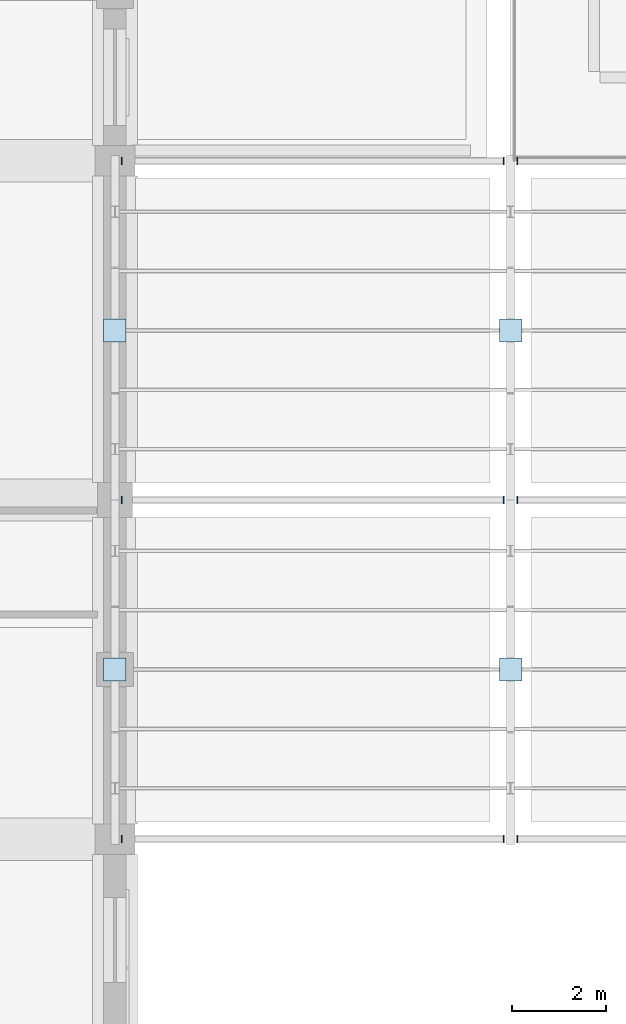
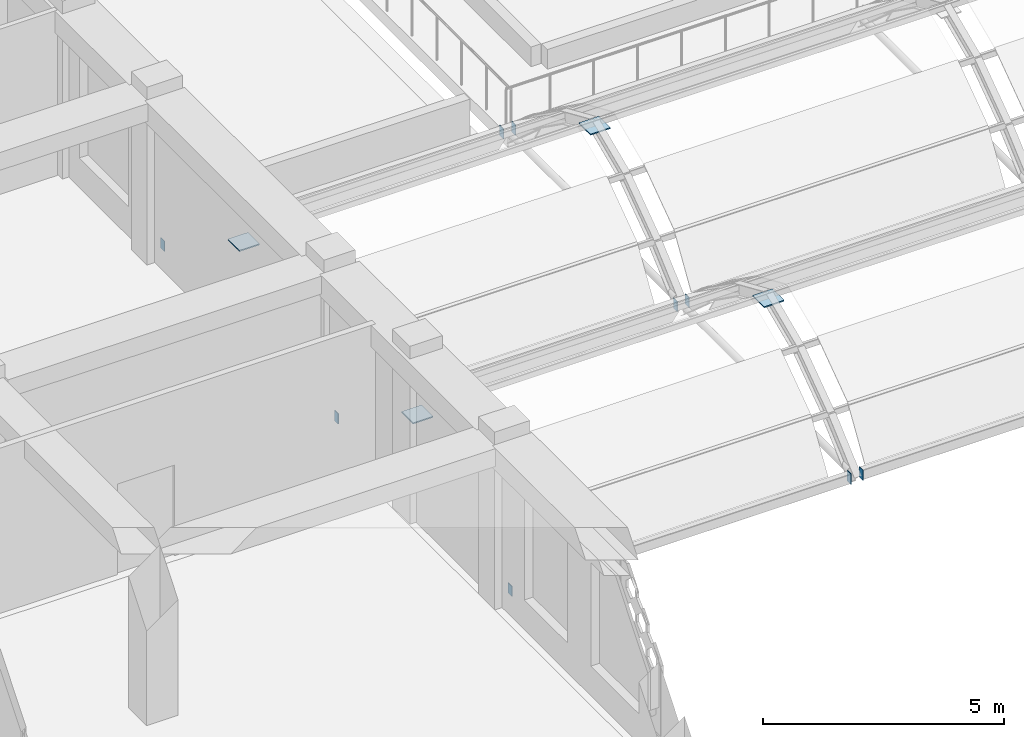
# One storey, part 47 of 100: 13 plates.
"""IFC4 building model written with IfcOpenShell, lengths in metres."""

from ifc_helpers import new_model, si_unit, derived_unit, direction, frame, origin, origin_2d, place, context, subcontext, project, spatial, rectangle, extrude, material, layer, layer_set, type_object, element, save


model = new_model("IFC4")

# Units and contexts
model_context = context("Model", 3, precision=1e-05, world=origin(), true_north=direction((0.0, 1.0)))
body_context = subcontext(model_context, "Body", "Model", "MODEL_VIEW")
ifc_project = project(units=[si_unit("LENGTHUNIT", "METRE"), si_unit("AREAUNIT", "SQUARE_METRE"), si_unit("VOLUMEUNIT", "CUBIC_METRE"), si_unit("PLANEANGLEUNIT", "RADIAN"), si_unit("MASSUNIT", "GRAM", prefix="KILO"), derived_unit("THERMALTRANSMITTANCEUNIT", [(si_unit("POWERUNIT", "WATT"), 1), (si_unit("LENGTHUNIT", "METRE"), -2), (si_unit("THERMODYNAMICTEMPERATUREUNIT", "KELVIN"), -1)])], contexts=[model_context])

# Site, building, storey
site_placement = place(None, origin())
site = spatial("IfcSite", under=ifc_project, at=site_placement, CompositionType="ELEMENT")
building_placement = place(site_placement, origin())
building = spatial("IfcBuilding", under=site, at=building_placement, Name="Veybourne Emporium", CompositionType="ELEMENT")
storey_placement = place(building_placement, frame((0.0, 0.0, 14.39990234375)))
storey = spatial("IfcBuildingStorey", under=building, at=storey_placement, Name="L03", CompositionType="ELEMENT", Elevation=14.39990234375)

# Plates
ifc_material = material(Name="Steel S355", Category="steel")
ifc_layer_1 = layer(ifc_material, 0.030029296875)
ifc_layer_set_1 = layer_set([ifc_layer_1], Name="Steel S355")
plate_type_1 = type_object("IfcPlateType", Name="NodePlate_BP-02", PredefinedType="USERDEFINED", material=ifc_layer_set_1)
for number, where, z_axis, x_axis, name in (
    (1, (50.39990234375, 10.800048828125, 2.4052734375), (0.0, 0.0, 1.0), (1.0, 0.0, 0.0), "Arcade arch ridge plate VA-00"),
    (2, (58.800048828125, 10.800048828125, 2.4052734375), (0.0, 0.0, 1.0), (1.0, 0.0, 0.0), "Arcade arch ridge plate VA-01"),
    (3, (50.39990234375, 18.0, 2.4052734375), (0.0, 0.0, 1.0), (1.0, 0.0, 0.0), "Arcade arch ridge plate VB-00"),
    (4, (58.800048828125, 18.0, 2.4052734375), (0.0, 0.0, 1.0), (1.0, 0.0, 0.0), "Arcade arch ridge plate VB-01"),
):
    element("IfcPlate", number, at=place(storey_placement, frame(where, z_axis=z_axis, x_axis=x_axis)), inside=storey, type_object=plate_type_1, Name=name, ObjectType="BASE_PLATE", PredefinedType="USERDEFINED", context=body_context, shape_type="SweptSolid", body=[
        extrude(rectangle(XDim=0.47998046875, YDim=0.47998046875, at=origin_2d()), origin(), (0.0, 0.0, 1.0), 0.030029296875),
    ])
ifc_layer_2 = layer(ifc_material, 0.01611328125)
ifc_layer_set_2 = layer_set([ifc_layer_2], Name="Steel S355")
plate_type_2 = type_object("IfcPlateType", Name="NodePlate_CP-01", PredefinedType="USERDEFINED", material=ifc_layer_set_2)
for number, where, z_axis, x_axis, name in (
    (5, (50.5419921875, 7.199951171875, -0.0048828125), (0.0, 0.0, 1.0), (1.0, 0.0, 0.0), "Welded hollow-section end cap plate CP-01 (VSPR-B0-Y7-W)"),
    (6, (58.657958984375, 7.199951171875, -0.0048828125), (0.0, 0.0, 1.0), (1.0, 0.0, 0.0), "Welded hollow-section end cap plate CP-01 (VSPR-B0-Y7-E)"),
    (7, (50.5419921875, 14.39990234375, -0.0048828125), (0.0, 0.0, 1.0), (1.0, 0.0, 0.0), "Welded hollow-section end cap plate CP-01 (VSPR-B0-Y14-W)"),
    (8, (58.657958984375, 14.39990234375, -0.0048828125), (0.0, 0.0, 1.0), (1.0, 0.0, 0.0), "Welded hollow-section end cap plate CP-01 (VSPR-B0-Y14-E)"),
    (9, (58.94189453125, 7.199951171875, -0.0048828125), (0.0, 0.0, 1.0), (1.0, 0.0, 0.0), "Welded hollow-section end cap plate CP-01 (VSPR-B1-Y7-W)"),
    (10, (58.94189453125, 14.39990234375, -0.0048828125), (0.0, 0.0, 1.0), (1.0, 0.0, 0.0), "Welded hollow-section end cap plate CP-01 (VSPR-B1-Y14-W)"),
    (11, (50.5419921875, 21.60009765625, -0.0048828125), (0.0, 0.0, 1.0), (1.0, 0.0, 0.0), "Welded hollow-section end cap plate CP-01 (VSPR-B0-Y22-W)"),
    (12, (58.657958984375, 21.60009765625, -0.0048828125), (0.0, 0.0, 1.0), (1.0, 0.0, 0.0), "Welded hollow-section end cap plate CP-01 (VSPR-B0-Y22-E)"),
    (13, (58.94189453125, 21.60009765625, -0.0048828125), (0.0, 0.0, 1.0), (1.0, 0.0, 0.0), "Welded hollow-section end cap plate CP-01 (VSPR-B1-Y22-W)"),
):
    element("IfcPlate", number, at=place(storey_placement, frame(where, z_axis=z_axis, x_axis=x_axis)), inside=storey, type_object=plate_type_2, Name=name, ObjectType="CAP_PLATE", PredefinedType="USERDEFINED", context=body_context, shape_type="SweptSolid", body=[
        extrude(rectangle(XDim=0.01611328125, YDim=0.159912109375, at=origin_2d()), origin(), (0.0, 0.0, 1.0), 0.260009765625),
    ])

save(model, "model.ifc")
